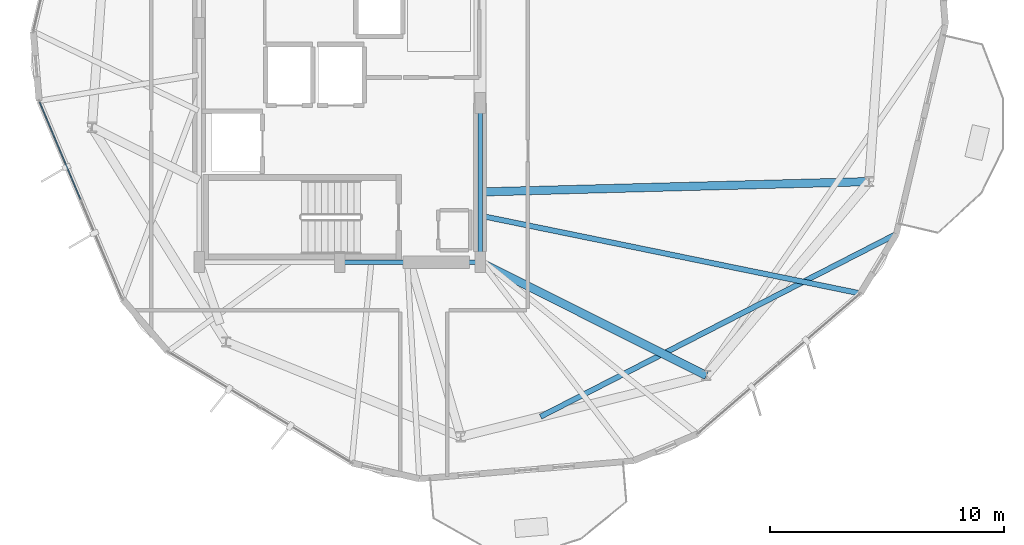
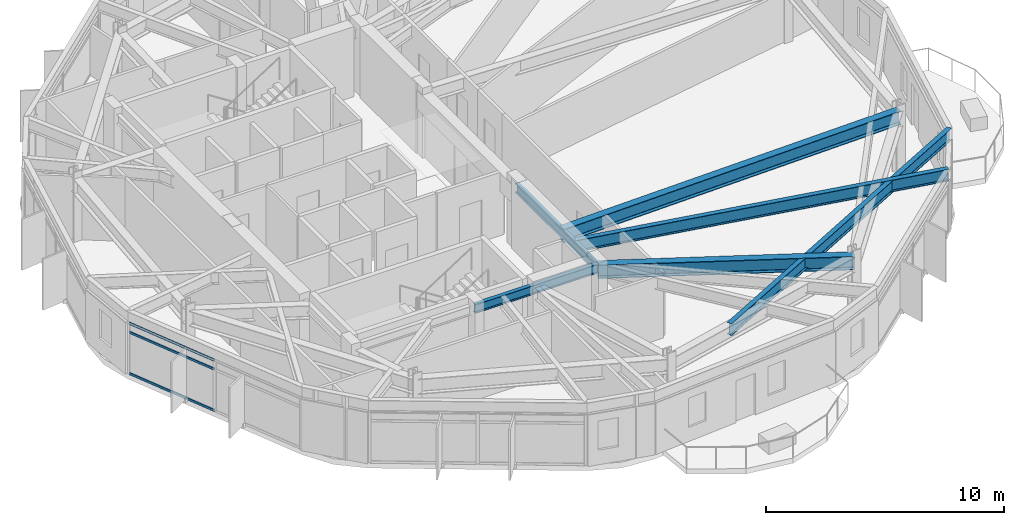
# One storey, part 6 of 27: 6 beams, 3 members, 1 element without a shape of its own.
"""IFC4 building model written with IfcOpenShell, lengths in metres."""

from ifc_helpers import new_model, si_unit, direction, frame, origin, origin_2d, place, context, subcontext, project, spatial, hollow_rectangle, i_section, extrude, material, layer, layer_set, material_profile, profile_set, type_object, element, aggregate, save


model = new_model("IFC4")

# Units and contexts
model_context = context("Model", 3, precision=1e-05, world=origin(), true_north=direction((0.0, 1.0)))
body_context = subcontext(model_context, "Body", "Model", "MODEL_VIEW")
ifc_project = project(units=[si_unit("LENGTHUNIT", "METRE"), si_unit("AREAUNIT", "SQUARE_METRE"), si_unit("VOLUMEUNIT", "CUBIC_METRE"), si_unit("PLANEANGLEUNIT", "RADIAN"), si_unit("MASSUNIT", "GRAM", prefix="KILO")], contexts=[model_context])

# Site, building, storey
site_placement = place(None, origin())
site = spatial("IfcSite", under=ifc_project, at=site_placement, CompositionType="ELEMENT")
building_placement = place(site_placement, origin())
building = spatial("IfcBuilding", under=site, at=building_placement, Name="Soratama Intermodal Tower", CompositionType="ELEMENT")
storey_placement = place(building_placement, frame((0.0, 0.0, 182.199951171875)))
storey = spatial("IfcBuildingStorey", under=building, at=storey_placement, Name="L45", CompositionType="ELEMENT", Elevation=182.199951171875)

# Beams
ifc_material_1 = material(Name="Structural steel ASTM A992 Grade 50", Category="steel")
ifc_material_profile_1 = material_profile(ifc_material_1, i_section(OverallWidth=0.19091796875, OverallDepth=0.4599609375, WebThickness=0.010009765625, FlangeThickness=0.01611328125, FilletRadius=0.010986328125, at=origin_2d()), Name="W18X55")
ifc_profile_set_1 = profile_set([ifc_material_profile_1], Name="Structural steel ASTM A992 Grade 50")
beam_type_1 = type_object("IfcBeamType", Name="BM-FLR-W18X55", PredefinedType="BEAM", material=ifc_profile_set_1)
beam_1_placement = place(storey_placement, frame((38.60009765625, 15.0, 3.030029296875), z_axis=(1.0, 0.0, 0.0), x_axis=(0.0, 1.0, 0.0)))
element("IfcBeam", 1, at=beam_1_placement, inside=storey, type_object=beam_type_1, Name="BM-L45-CRING-02", PredefinedType="BEAM", context=body_context, shape_type="SweptSolid", body=[
    extrude(i_section(OverallWidth=0.19091796875, OverallDepth=0.4599609375, WebThickness=0.010009765625, FlangeThickness=0.01611328125, FilletRadius=0.010986328125, at=origin_2d()), origin(), (0.0, 0.0, 1.0), 6.0),
])
beam_2_placement = place(storey_placement, frame((44.60009765625, 15.0, 3.030029296875), z_axis=(0.0, 1.0, 0.0), x_axis=(-1.0, 0.0, 0.0)))
element("IfcBeam", 2, at=beam_2_placement, inside=storey, type_object=beam_type_1, Name="BM-L45-CRING-03", PredefinedType="BEAM", context=body_context, shape_type="SweptSolid", body=[
    extrude(i_section(OverallWidth=0.19091796875, OverallDepth=0.4599609375, WebThickness=0.010009765625, FlangeThickness=0.01611328125, FilletRadius=0.010986328125, at=origin_2d()), origin(), (0.0, 0.0, 1.0), 6.800048828125),
])
ifc_material_2 = material(Name="Structural steel ASTM A992 Grade 50", Category="steel")
ifc_material_profile_2 = material_profile(ifc_material_2, i_section(OverallWidth=0.35498046875, OverallDepth=0.695068359375, WebThickness=0.015380859375, FlangeThickness=0.02490234375, FilletRadius=0.01611328125, at=origin_2d()), Name="W27X146")
ifc_profile_set_2 = profile_set([ifc_material_profile_2], Name="Structural steel ASTM A992 Grade 50")
beam_type_2 = type_object("IfcBeamType", Name="BM-RING-W27X146", PredefinedType="BEAM", material=ifc_profile_set_2)
beam_3_placement = place(storey_placement, frame((44.60009765625, 15.0, 2.91259765625), z_axis=(0.894273669201, -0.447520507434, 0.0), x_axis=(0.447520507434, 0.894273669201, 0.0)))
element("IfcBeam", 3, at=beam_3_placement, inside=storey, type_object=beam_type_2, Name="BM-L45-RAD-09", PredefinedType="BEAM", context=body_context, shape_type="SweptSolid", body=[
    extrude(i_section(OverallWidth=0.35498046875, OverallDepth=0.695068359375, WebThickness=0.015380859375, FlangeThickness=0.02490234375, FilletRadius=0.01611328125, at=origin_2d()), origin(), (0.0, 0.0, 1.0), 10.817626953125),
])
beam_4_placement = place(storey_placement, frame((44.60009765625, 18.0, 2.91259765625), z_axis=(0.999643459503, 0.026701196077, 0.0), x_axis=(-0.026701196077, 0.999643459503, 0.0)))
element("IfcBeam", 4, at=beam_4_placement, inside=storey, type_object=beam_type_2, Name="BM-L45-RAD-10", PredefinedType="BEAM", context=body_context, shape_type="SweptSolid", body=[
    extrude(i_section(OverallWidth=0.35498046875, OverallDepth=0.695068359375, WebThickness=0.015380859375, FlangeThickness=0.02490234375, FilletRadius=0.01611328125, at=origin_2d()), origin(), (0.0, 0.0, 1.0), 16.6318359375),
])
ifc_material_3 = material(Name="Structural steel ASTM A992 Grade 50", Category="steel")
ifc_material_profile_3 = material_profile(ifc_material_3, i_section(OverallWidth=0.22900390625, OverallDepth=0.612060546875, WebThickness=0.011962890625, FlangeThickness=0.01953125, FilletRadius=0.012939453125, at=origin_2d()), Name="W24X84")
ifc_profile_set_3 = profile_set([ifc_material_profile_3], Name="Structural steel ASTM A992 Grade 50")
beam_type_3 = type_object("IfcBeamType", Name="BM-TIE-W24X84", PredefinedType="BEAM", material=ifc_profile_set_3)
beam_5_placement = place(storey_placement, frame((44.638916015625, 16.98291015625, 2.9541015625), z_axis=(0.979698934229, -0.20047443296, 0.0), x_axis=(0.20047443296, 0.979698934229, 0.0)))
element("IfcBeam", 5, at=beam_5_placement, inside=storey, type_object=beam_type_3, Name="BM-L45-TIE1-08", PredefinedType="BEAM", context=body_context, shape_type="SweptSolid", body=[
    extrude(i_section(OverallWidth=0.22900390625, OverallDepth=0.612060546875, WebThickness=0.011962890625, FlangeThickness=0.01953125, FilletRadius=0.012939453125, at=origin_2d()), origin(), (0.0, 0.0, 1.0), 16.550048828125),
])
beam_6_placement = place(storey_placement, frame((47.18896484375, 8.402099609375, 2.9541015625), z_axis=(0.88968829628, 0.456568434588, 0.0), x_axis=(-0.456568434588, 0.88968829628, 0.0)))
element("IfcBeam", 6, at=beam_6_placement, inside=storey, type_object=beam_type_3, Name="BM-L45-TIE0-09", PredefinedType="BEAM", context=body_context, shape_type="SweptSolid", body=[
    extrude(i_section(OverallWidth=0.22900390625, OverallDepth=0.612060546875, WebThickness=0.011962890625, FlangeThickness=0.01953125, FilletRadius=0.012939453125, at=origin_2d()), origin(), (0.0, 0.0, 1.0), 17.085693359375),
])

# Curtain wall, members
ifc_material_4 = material(Name="Double-glazed aluminium curtain wall", Category="aluminium")
ifc_layer = layer(ifc_material_4, 0.159912109375)
ifc_layer_set = layer_set([ifc_layer], Name="Double-glazed aluminium curtain wall")
curtain_wall_type = type_object("IfcCurtainWallType", Name="CW-SYS-4", PredefinedType="NOTDEFINED", material=ifc_layer_set)
curtain_wall_placement = place(storey_placement, origin())
curtain_wall = element("IfcCurtainWall", 7, at=curtain_wall_placement, inside=storey, type_object=curtain_wall_type, Name="L45 Faceted Curtain Wall F05", PredefinedType="NOTDEFINED")
ifc_material_5 = material(Name="Anodised aluminium AA 6063-T6", Category="aluminium")
ifc_material_profile_4 = material_profile(ifc_material_5, hollow_rectangle(XDim=0.06005859375, YDim=0.1298828125, WallThickness=0.0048828125, InnerFilletRadius=0.0048828125, OuterFilletRadius=0.010009765625, at=origin_2d()), Name="CWT130X60X5")
ifc_profile_set_4 = profile_set([ifc_material_profile_4], Name="Anodised aluminium AA 6063-T6")
member_type = type_object("IfcMemberType", Name="TT-CWT-2", PredefinedType="USERDEFINED", material=ifc_profile_set_4)
member_1_placement = place(storey_placement, frame((25.78369140625, 21.840576171875, 0.030029296875), z_axis=(0.387511693412, -0.921864788062, 0.0), x_axis=(0.921864788062, 0.387511693412, 0.0)))
member_1 = element("IfcMember", 8, at=member_1_placement, type_object=member_type, Name="CW-4 transom 1.1", ObjectType="TRANSOM", PredefinedType="USERDEFINED", context=body_context, shape_type="SweptSolid", body=[
    extrude(hollow_rectangle(XDim=0.06005859375, YDim=0.1298828125, WallThickness=0.0048828125, InnerFilletRadius=0.0048828125, OuterFilletRadius=0.010009765625, at=origin_2d()), origin(), (0.0, 0.0, 1.0), 4.50390625),
])
member_2_placement = place(storey_placement, frame((25.78369140625, 21.840576171875, 2.150146484375), z_axis=(0.387511693412, -0.921864788062, 0.0), x_axis=(0.921864788062, 0.387511693412, 0.0)))
member_2 = element("IfcMember", 9, at=member_2_placement, type_object=member_type, Name="CW-4 transom 1.2", ObjectType="TRANSOM", PredefinedType="USERDEFINED", context=body_context, shape_type="SweptSolid", body=[
    extrude(hollow_rectangle(XDim=0.06005859375, YDim=0.1298828125, WallThickness=0.0048828125, InnerFilletRadius=0.0048828125, OuterFilletRadius=0.010009765625, at=origin_2d()), origin(), (0.0, 0.0, 1.0), 4.50390625),
])
member_3_placement = place(storey_placement, frame((25.78369140625, 21.840576171875, 2.609130859375), z_axis=(0.387511693412, -0.921864788062, 0.0), x_axis=(0.921864788062, 0.387511693412, 0.0)))
member_3 = element("IfcMember", 10, at=member_3_placement, type_object=member_type, Name="CW-4 transom 1.3", ObjectType="TRANSOM", PredefinedType="USERDEFINED", context=body_context, shape_type="SweptSolid", body=[
    extrude(hollow_rectangle(XDim=0.06005859375, YDim=0.1298828125, WallThickness=0.0048828125, InnerFilletRadius=0.0048828125, OuterFilletRadius=0.010009765625, at=origin_2d()), origin(), (0.0, 0.0, 1.0), 4.50390625),
])
aggregate(curtain_wall, [member_1, member_2, member_3])

save(model, "model.ifc")
